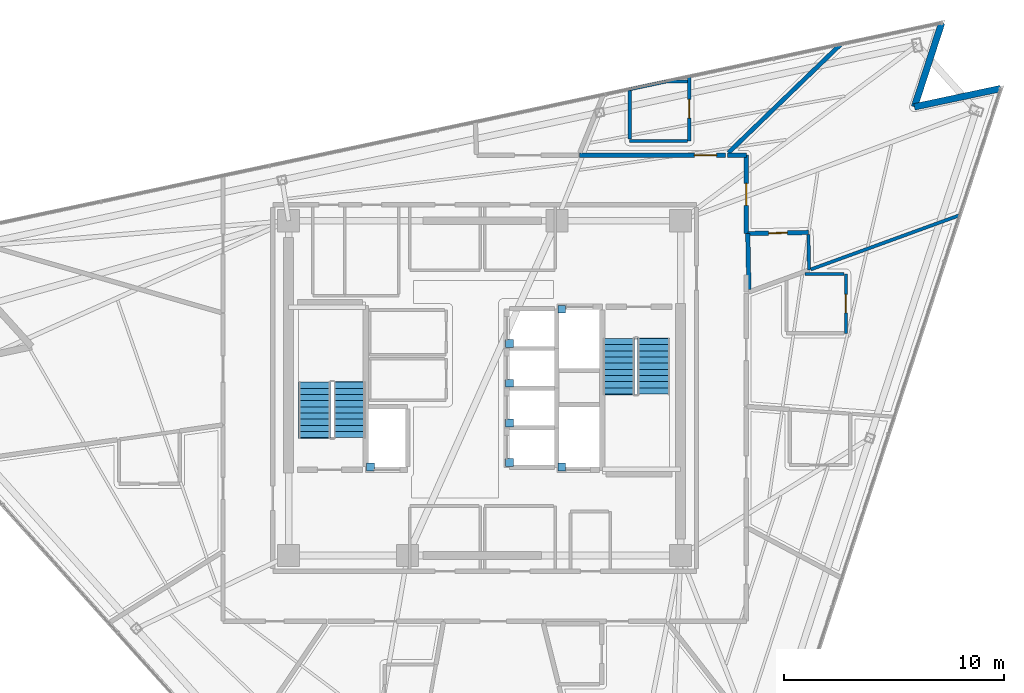
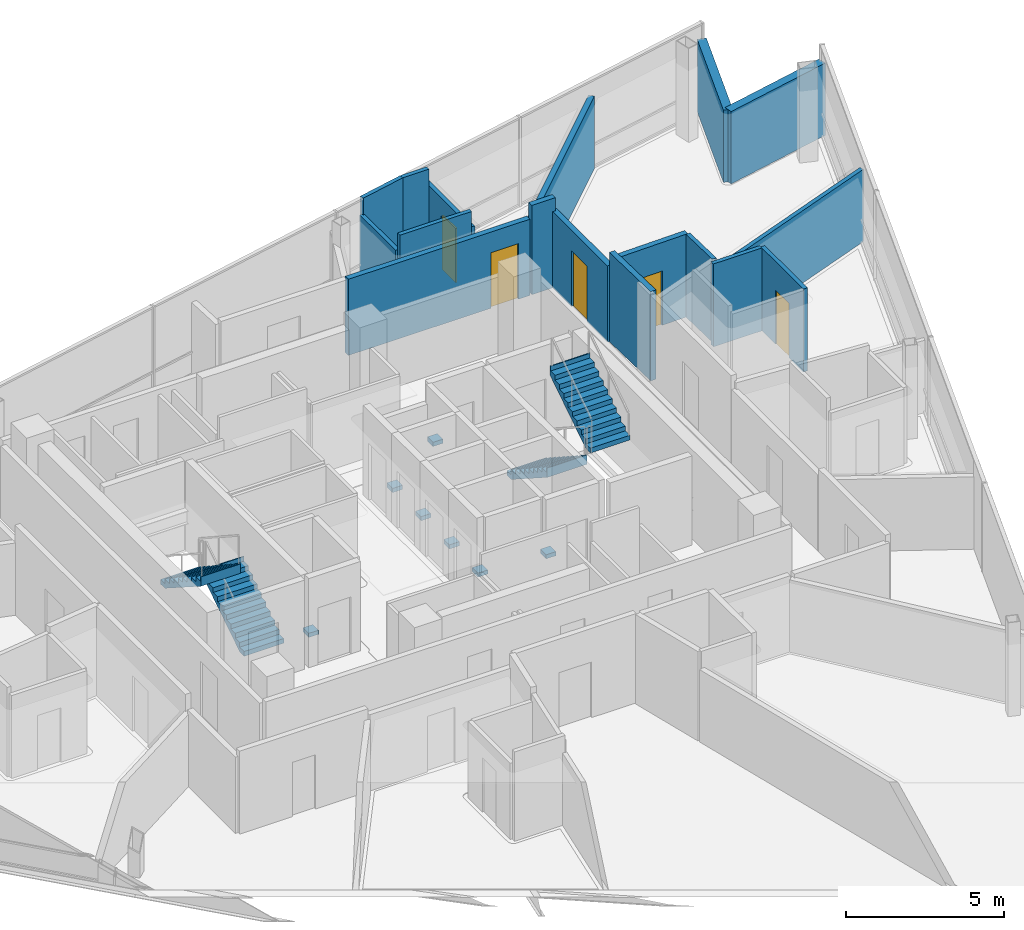
# One storey, part 13 of 17: 17 walls, 7 discrete accessories, 5 doors, 4 stair flights, 5 openings, 2 elements without a shape of their own.
"""IFC4 building model written with IfcOpenShell, lengths in metres."""

import ifcopenshell
import ifcopenshell.guid

model = None  # the IFC model being written
_history = None  # IfcOwnerHistory: only IFC2X3 demands one
_inside = {}  # id of a spatial element -> (the spatial element, [elements in it])
_under = {}  # id of a project, library or spatial element -> (it, [spatial elements below it])
_declared = {}  # id of a project -> (the project, [libraries it declares])
_typed = {}  # id of a type object -> (the type object, [elements of that type])
_made_of = {}  # id of a material, layer set ... -> (it, [elements and type objects made of it])


def new_model(schema):
    """Start an empty IFC model of exactly this schema.

    Asked for "IFC4X3", IfcOpenShell would pick the latest addendum, in which some entities
    have other attributes; the version numbers below select the first issue.
    IFC2X3 requires an IfcOwnerHistory on every rooted entity: one is made here for all.
    """
    global model, _history
    if schema == "IFC4X3":
        model = ifcopenshell.file(schema_version=(4, 3, 0, 0))
    else:
        model = ifcopenshell.file(schema=schema)
    _inside.clear()
    _under.clear()
    _declared.clear()
    _typed.clear()
    _made_of.clear()
    _history = None
    if model.schema == "IFC2X3":
        org = make("IfcOrganization", Name="unknown")
        user = make(
            "IfcPersonAndOrganization",
            ThePerson=make("IfcPerson", FamilyName="unknown"),
            TheOrganization=org,
        )
        app = make(
            "IfcApplication",
            ApplicationDeveloper=org,
            Version="unknown",
            ApplicationFullName="unknown",
            ApplicationIdentifier="unknown",
        )
        _history = make(
            "IfcOwnerHistory",
            OwningUser=user,
            OwningApplication=app,
            ChangeAction="ADDED",
            CreationDate=0,
        )
    return model


def make(cls, **values):
    """One entity of the class cls with the attributes given. An attribute that is None is left unset."""
    return model.create_entity(
        cls, **{name: value for name, value in values.items() if value is not None}
    )


def rooted(cls, **values):
    """An entity with a GlobalId (a new one), such as an element, a storey or a relation."""
    return make(cls, GlobalId=ifcopenshell.guid.new(), OwnerHistory=_history, **values)


def si_unit(unit_type, name, prefix=None):
    """IfcSIUnit, for example si_unit("LENGTHUNIT", "METRE", prefix="MILLI")."""
    return make("IfcSIUnit", UnitType=unit_type, Prefix=prefix, Name=name)


def assignment(units):
    """IfcUnitAssignment: the units of a project."""
    return None if units is None else make("IfcUnitAssignment", Units=units)


def point(xyz):
    """IfcCartesianPoint."""
    return None if xyz is None else make("IfcCartesianPoint", Coordinates=xyz)


def direction(xyz):
    """IfcDirection."""
    return None if xyz is None else make("IfcDirection", DirectionRatios=xyz)


def frame(location, z_axis=None, x_axis=None):
    """IfcAxis2Placement3D, a coordinate frame: its origin and axes. An axis left out is left unset."""
    return make(
        "IfcAxis2Placement3D",
        Location=point(location),
        Axis=direction(z_axis),
        RefDirection=direction(x_axis),
    )


def frame_2d(location, x_axis=None):
    """IfcAxis2Placement2D, a coordinate frame in the plane: its origin and x axis."""
    return make(
        "IfcAxis2Placement2D", Location=point(location), RefDirection=direction(x_axis)
    )


def origin():
    """The frame at (0, 0, 0) with its axes left unset."""
    return frame((0.0, 0.0, 0.0))


def origin_2d():
    """The frame at (0, 0) in the plane with its x axis left unset."""
    return frame_2d((0.0, 0.0))


def place(relative_to, where):
    """IfcLocalPlacement: puts the frame where relative to a parent placement (None: the world)."""
    return make(
        "IfcLocalPlacement", PlacementRelTo=relative_to, RelativePlacement=where
    )


def context(
    kind, dimensions, precision=None, world=None, true_north=None, identifier=None
):
    """IfcGeometricRepresentationContext, for example the 3D "Model" context."""
    return make(
        "IfcGeometricRepresentationContext",
        ContextIdentifier=identifier,
        ContextType=kind,
        CoordinateSpaceDimension=dimensions,
        Precision=precision,
        WorldCoordinateSystem=world,
        TrueNorth=true_north,
    )


def subcontext(parent, identifier, kind, view, scale=None):
    """IfcGeometricRepresentationSubContext, for example "Body" below "Model"."""
    return make(
        "IfcGeometricRepresentationSubContext",
        ContextIdentifier=identifier,
        ContextType=kind,
        ParentContext=parent,
        TargetScale=scale,
        TargetView=view,
    )


def project(units=None, contexts=None):
    """IfcProject with its units and contexts."""
    return rooted(
        "IfcProject",
        Name="project",
        RepresentationContexts=contexts,
        UnitsInContext=assignment(units),
    )


def spatial(cls, under=None, at=None, **own):
    """A site, building, storey or space (cls), placed at a placement, below another one or the project."""
    s = rooted(cls, ObjectPlacement=at, **own)
    if under is not None:
        _under.setdefault(under.id(), (under, []))[1].append(s)
    return s


def polyline(points):
    """IfcPolyline through the points."""
    return make("IfcPolyline", Points=[point(p) for p in points])


def profile(cls, at=None, kind="AREA", **sizes):
    """A parametric profile (cls). Its sizes go by their IFC names, for example OverallWidth=200.0."""
    return make(cls, ProfileType=kind, Position=at, **sizes)


def rectangle(**sizes):
    """IfcRectangleProfileDef."""
    return profile("IfcRectangleProfileDef", **sizes)


def outline(outer, holes=None, kind="AREA"):
    """IfcArbitraryClosedProfileDef: a profile drawn as a closed curve; with holes, ...WithVoids."""
    if holes is None:
        return make("IfcArbitraryClosedProfileDef", ProfileType=kind, OuterCurve=outer)
    return make(
        "IfcArbitraryProfileDefWithVoids",
        ProfileType=kind,
        OuterCurve=outer,
        InnerCurves=holes,
    )


def extrude(swept, where, along, depth):
    """IfcExtrudedAreaSolid: the profile swept, set in the frame where, extruded along a direction by depth."""
    return make(
        "IfcExtrudedAreaSolid",
        SweptArea=swept,
        Position=where,
        ExtrudedDirection=direction(along),
        Depth=depth,
    )


def shape(context_of_items, identifier, shape_type, items):
    """IfcShapeRepresentation: the items that make up one representation, for example the "Body"."""
    return make(
        "IfcShapeRepresentation",
        ContextOfItems=context_of_items,
        RepresentationIdentifier=identifier,
        RepresentationType=shape_type,
        Items=items,
    )


def material(Name=None, Category=None):
    """IfcMaterial."""
    return make("IfcMaterial", Name=Name, Category=Category)


def layer(
    of_material, thickness, ventilated=None, Name=None, Category=None, Priority=None
):
    """IfcMaterialLayer: one layer of a wall or slab, of a material (None: an air gap)."""
    return make(
        "IfcMaterialLayer",
        Material=of_material,
        LayerThickness=thickness,
        IsVentilated=ventilated,
        Name=Name,
        Category=Category,
        Priority=Priority,
    )


def layer_set(layers, Name=None):
    """IfcMaterialLayerSet."""
    return make("IfcMaterialLayerSet", MaterialLayers=layers, LayerSetName=Name)


def made_of(thing, what):
    """Note that an element or type object is made of a material, layer set ...; save() writes the relation."""
    if what is not None:
        _made_of.setdefault(what.id(), (what, []))[1].append(thing)
    return thing


def type_object(cls, material=None, **own):
    """A type object (cls), such as IfcWallType, which elements share."""
    return made_of(rooted(cls, **own), material)


def element(
    cls,
    number,
    at=None,
    inside=None,
    cuts=None,
    type_object=None,
    material=None,
    context=None,
    identifier="Body",
    shape_type=None,
    held_by="IfcProductDefinitionShape",
    body=None,
    shapes=None,
    **own,
):
    """One element of the class cls, such as IfcWall. Its Tag is "e" and its number.

    at: its placement. inside: the storey or other place that contains it. cuts: it is an
    opening in that element (IfcRelVoidsElement). A single representation is given by context,
    identifier, shape_type and body (its items); several are given by shapes. held_by: the class
    of the entity that holds the representations. save() writes the other relations.
    """
    e = rooted(cls, Tag="e%d" % number, ObjectPlacement=at, **own)
    if body is not None:
        shapes = [shape(context, identifier, shape_type, body)]
    if shapes is not None:
        e.Representation = make(held_by, Representations=shapes)
    if inside is not None:
        _inside.setdefault(inside.id(), (inside, []))[1].append(e)
    if cuts is not None:
        rooted(
            "IfcRelVoidsElement", RelatingBuildingElement=cuts, RelatedOpeningElement=e
        )
    if type_object is not None:
        _typed.setdefault(type_object.id(), (type_object, []))[1].append(e)
    return made_of(e, material)


def fill(opening, filler):
    """IfcRelFillsElement: the door or window that sits in an opening."""
    return rooted(
        "IfcRelFillsElement",
        RelatingOpeningElement=opening,
        RelatedBuildingElement=filler,
    )


def aggregate(whole, parts):
    """IfcRelAggregates: a whole, such as a stair, and the parts it consists of."""
    return rooted("IfcRelAggregates", RelatingObject=whole, RelatedObjects=parts)


def save(model, path):
    """Write the relations noted so far, then the file.

    IfcRelAggregates (storeys below a building ...), IfcRelContainedInSpatialStructure (elements
    in a storey), IfcRelDefinesByType, IfcRelAssociatesMaterial and IfcRelDeclares: one each for
    every whole, place, type object, material and project.
    """
    for whole, parts in _under.values():
        aggregate(whole, parts)
    for where, things in _inside.values():
        rooted(
            "IfcRelContainedInSpatialStructure",
            RelatedElements=things,
            RelatingStructure=where,
        )
    for kind, things in _typed.values():
        rooted("IfcRelDefinesByType", RelatedObjects=things, RelatingType=kind)
    for what, things in _made_of.values():
        rooted("IfcRelAssociatesMaterial", RelatedObjects=things, RelatingMaterial=what)
    for by, libraries in _declared.values():
        rooted("IfcRelDeclares", RelatingContext=by, RelatedDefinitions=libraries)
    model.write(path)


model = new_model("IFC4")

# Units and contexts
model_context = context("Model", 3, precision=1e-05, world=origin(), true_north=direction((0.0, 1.0)))
body_context = subcontext(model_context, "Body", "Model", "MODEL_VIEW")
ifc_project = project(units=[si_unit("LENGTHUNIT", "METRE"), si_unit("AREAUNIT", "SQUARE_METRE"), si_unit("VOLUMEUNIT", "CUBIC_METRE"), si_unit("PLANEANGLEUNIT", "RADIAN"), si_unit("MASSUNIT", "GRAM", prefix="KILO")], contexts=[model_context])

# Site, building, storey
site_placement = place(None, origin())
site = spatial("IfcSite", under=ifc_project, at=site_placement, CompositionType="ELEMENT")
building_placement = place(site_placement, origin())
building = spatial("IfcBuilding", under=site, at=building_placement, Name="Tharavind Bronze Gate", CompositionType="ELEMENT")
storey_placement = place(building_placement, frame((0.0, 0.0, 294.35009765625)))
storey = spatial("IfcBuildingStorey", under=building, at=storey_placement, Name="L76", CompositionType="ELEMENT", Elevation=294.35009765625)

# Walls
ifc_material_1 = material(Name="Concrete C40/50", Category="concrete")
ifc_layer_1 = layer(ifc_material_1, 0.300048828125)
ifc_layer_set_1 = layer_set([ifc_layer_1], Name="Concrete C40/50")
wall_type_1 = type_object("IfcWallType", Name="EXTERIOR SPANDREL WALL 300", PredefinedType="STANDARD", material=ifc_layer_set_1)
wall_1_placement = place(storey_placement, frame((23.433837890625, 13.603271484375, 0.0), z_axis=(0.0, 0.0, 1.0), x_axis=(-0.97815049033, -0.207898095871, 0.0)))
element("IfcWall", 1, at=wall_1_placement, inside=storey, type_object=wall_type_1, Name="L76 notch cheek wall 3A", PredefinedType="STANDARD", context=body_context, shape_type="SweptSolid", body=[
    extrude(rectangle(XDim=4.008056640625, YDim=0.300048828125, at=frame_2d((2.00390625, 0.0))), origin(), (0.0, 0.0, 1.0), 2.794921875),
])
wall_2_placement = place(storey_placement, frame((19.513427734375, 12.77001953125, 0.0), z_axis=(0.0, 0.0, 1.0), x_axis=(0.309018580232, 0.951056001018, 0.0)))
element("IfcWall", 2, at=wall_2_placement, inside=storey, type_object=wall_type_1, Name="L76 notch cheek wall 3B", PredefinedType="STANDARD", context=body_context, shape_type="SweptSolid", body=[
    extrude(rectangle(XDim=4.0078125, YDim=0.300048828125, at=frame_2d((2.00390625, 0.0))), origin(), (0.0, 0.0, 1.0), 2.794921875),
])

# Wall, opening, door
ifc_material_2 = material(Name="Aerated Concrete Block", Category="concrete")
ifc_layer_2 = layer(ifc_material_2, 0.199951171875)
ifc_layer_set_2 = layer_set([ifc_layer_2], Name="Aerated Concrete Block")
wall_type_2 = type_object("IfcWallType", Name="FIRE RATED PARTITION 200", PredefinedType="PARTITIONING", material=ifc_layer_set_2)
wall_3_placement = place(storey_placement, frame((11.94873046875, 7.01708984375, 0.0), z_axis=(0.0, 0.0, 1.0), x_axis=(0.999812703389, 0.019353504647, 0.0)))
wall_3 = element("IfcWall", 3, at=wall_3_placement, inside=storey, type_object=wall_type_2, Name="L76 En-Suite Bathroom partition", PredefinedType="PARTITIONING", context=body_context, shape_type="SweptSolid", body=[
    extrude(rectangle(XDim=2.75, YDim=0.199951171875, at=frame_2d((1.375, 0.0))), origin(), (0.0, 0.0, 1.0), 3.204833984375),
])
opening_1_placement = place(wall_3_placement, frame((0.949951171875, 0.0, 0.0)))
opening_1 = element("IfcOpeningElement", 4, at=opening_1_placement, cuts=wall_3, Name="Opening ID06", PredefinedType="OPENING", context=body_context, shape_type="SweptSolid", body=[
    extrude(rectangle(XDim=0.85009765625, YDim=2.10009765625, at=frame_2d((0.425048828125, 1.050048828125))), frame((0.0, 0.11009765625, 0.0), z_axis=(0.0, -1.0, 0.0), x_axis=(1.0, 0.0, 0.0)), (0.0, 0.0, 1.0), 0.219951171875),
])
ifc_material_3 = material(Name="Moisture-Resistant Timber", Category="wood")
door_type_1 = type_object("IfcDoorType", Name="BATHROOM PRIVACY DOOR 850X2100", OperationType="SINGLE_SWING_RIGHT", PredefinedType="DOOR", material=ifc_material_3)
door_1_placement = place(opening_1_placement, origin())
door_1 = element("IfcDoor", 5, at=door_1_placement, inside=storey, type_object=door_type_1, Name="L76 En-Suite Bathroom door", OperationType="SINGLE_SWING_RIGHT", OverallHeight=2.10009765625, OverallWidth=0.85009765625, PredefinedType="DOOR", context=body_context, shape_type="SweptSolid", body=[
    extrude(rectangle(XDim=0.85009765625, YDim=2.10009765625, at=frame_2d((0.425048828125, 1.050048828125))), frame((0.0, 0.02490234375, 0.0), z_axis=(0.0, -1.0, 0.0), x_axis=(1.0, 0.0, 0.0)), (0.0, 0.0, 1.0), 0.050048828125),
])
fill(opening_1, door_1)

# Walls
wall_4_placement = place(storey_placement, frame((11.997802734375, 4.478515625, 0.0), z_axis=(0.0, 0.0, 1.0), x_axis=(-0.019327029844, 0.999813215514, 0.0)))
element("IfcWall", 6, at=wall_4_placement, inside=storey, type_object=wall_type_2, Name="L76 En-Suite Bathroom partition", PredefinedType="PARTITIONING", context=body_context, shape_type="SweptSolid", body=[
    extrude(rectangle(XDim=2.5390625, YDim=0.199951171875, at=frame_2d((1.26953125, 0.0))), origin(), (0.0, 0.0, 1.0), 3.449951171875),
])
wall_5_placement = place(storey_placement, frame((11.87939453125, 10.580078125, 0.0), z_axis=(0.0, 0.0, 1.0), x_axis=(-1.0, 0.0, 0.0)))
element("IfcWall", 7, at=wall_5_placement, inside=storey, type_object=wall_type_2, Name="L76 Royal Hotel Suite partition", PredefinedType="PARTITIONING", context=body_context, shape_type="SweptSolid", body=[
    extrude(rectangle(XDim=0.861572265625, YDim=0.199951171875, at=frame_2d((0.4306640625, 0.0))), origin(), (0.0, 0.0, 1.0), 3.449951171875),
])
wall_6_placement = place(storey_placement, frame((11.064697265625, 10.68505859375, 0.0), z_axis=(0.0, 0.0, 1.0), x_axis=(0.719349741171, 0.694648076278, 0.0)))
element("IfcWall", 8, at=wall_6_placement, inside=storey, type_object=wall_type_2, Name="L76 Royal Hotel Suite partition", PredefinedType="PARTITIONING", context=body_context, shape_type="SweptSolid", body=[
    extrude(rectangle(XDim=7.07666015625, YDim=0.199951171875, at=frame_2d((3.538330078125, 0.0))), origin(), (0.0, 0.0, 1.0), 2.794921875),
])

# Wall, opening, door
wall_7_placement = place(storey_placement, frame((11.8798828125, 7.015869140625, 0.0), z_axis=(0.0, 0.0, 1.0), x_axis=(0.0, 1.0, 0.0)))
wall_7 = element("IfcWall", 9, at=wall_7_placement, inside=storey, type_object=wall_type_2, Name="L76 Royal Hotel Suite partition", PredefinedType="PARTITIONING", context=body_context, shape_type="SweptSolid", body=[
    extrude(rectangle(XDim=3.5634765625, YDim=0.199951171875, at=frame_2d((1.78173828125, 0.0))), origin(), (0.0, 0.0, 1.0), 2.94482421875),
])
opening_2_placement = place(wall_7_placement, frame((1.281982421875, 0.0, 0.0)))
opening_2 = element("IfcOpeningElement", 10, at=opening_2_placement, cuts=wall_7, Name="Opening ID03", PredefinedType="OPENING", context=body_context, shape_type="SweptSolid", body=[
    extrude(rectangle(XDim=1.0, YDim=2.14990234375, at=frame_2d((0.5, 1.074951171875))), frame((0.0, 0.11009765625, 0.0), z_axis=(0.0, -1.0, 0.0), x_axis=(1.0, 0.0, 0.0)), (0.0, 0.0, 1.0), 0.219951171875),
])
ifc_material_4 = material(Name="Solid Timber Veneer", Category="wood")
door_type_2 = type_object("IfcDoorType", Name="HOTEL SUITE ENTRANCE DOOR 1000X2150", OperationType="SINGLE_SWING_LEFT", PredefinedType="DOOR", material=ifc_material_4)
door_2_placement = place(opening_2_placement, origin())
door_2 = element("IfcDoor", 11, at=door_2_placement, inside=storey, type_object=door_type_2, Name="L76 Royal Hotel Suite door", OperationType="SINGLE_SWING_LEFT", OverallHeight=2.14990234375, OverallWidth=1.0, PredefinedType="DOOR", context=body_context, shape_type="SweptSolid", body=[
    extrude(rectangle(XDim=1.0, YDim=2.14990234375, at=frame_2d((0.5, 1.074951171875))), frame((0.0, 0.02490234375, 0.0), z_axis=(0.0, -1.0, 0.0), x_axis=(1.0, 0.0, 0.0)), (0.0, 0.0, 1.0), 0.050048828125),
])
fill(opening_2, door_2)

wall_8_placement = place(storey_placement, frame((10.94580078125, 10.580078125, 0.0), z_axis=(0.0, 0.0, 1.0), x_axis=(-1.0, 0.0, 0.0)))
wall_8 = element("IfcWall", 12, at=wall_8_placement, inside=storey, type_object=wall_type_2, Name="L76 Hotel Deluxe Room partition", PredefinedType="PARTITIONING", context=body_context, shape_type="SweptSolid", body=[
    extrude(rectangle(XDim=6.634033203125, YDim=0.199951171875, at=frame_2d((3.31689453125, 0.0))), origin(), (0.0, 0.0, 1.0), 2.94482421875),
])
opening_3_placement = place(wall_8_placement, frame((0.4169921875, 0.0, 0.0)))
opening_3 = element("IfcOpeningElement", 13, at=opening_3_placement, cuts=wall_8, Name="Opening ID03", PredefinedType="OPENING", context=body_context, shape_type="SweptSolid", body=[
    extrude(rectangle(XDim=1.0, YDim=2.14990234375, at=frame_2d((0.5, 1.074951171875))), frame((0.0, 0.11009765625, 0.0), z_axis=(0.0, -1.0, 0.0), x_axis=(1.0, 0.0, 0.0)), (0.0, 0.0, 1.0), 0.219951171875),
])
door_3_placement = place(opening_3_placement, origin())
door_3 = element("IfcDoor", 14, at=door_3_placement, inside=storey, type_object=door_type_2, Name="L76 Hotel Deluxe Room door", OperationType="SINGLE_SWING_LEFT", OverallHeight=2.14990234375, OverallWidth=1.0, PredefinedType="DOOR", context=body_context, shape_type="SweptSolid", body=[
    extrude(rectangle(XDim=1.0, YDim=2.14990234375, at=frame_2d((0.5, 1.074951171875))), frame((0.0, 0.02490234375, 0.0), z_axis=(0.0, -1.0, 0.0), x_axis=(1.0, 0.0, 0.0)), (0.0, 0.0, 1.0), 0.050048828125),
])
fill(opening_3, door_3)

# Wall
ifc_material_5 = material(Name="Twin Stud Acoustic Gypsum", Category="gypsum")
ifc_layer_3 = layer(ifc_material_5, 0.14990234375)
ifc_layer_set_3 = layer_set([ifc_layer_3], Name="Twin Stud Acoustic Gypsum")
wall_type_3 = type_object("IfcWallType", Name="INTERIOR PARTITION WALL 150", PredefinedType="PARTITIONING", material=ifc_layer_set_3)
wall_9_placement = place(storey_placement, frame((14.7001953125, 6.96533203125, 0.0), z_axis=(0.0, 0.0, 1.0), x_axis=(0.01933256163, -0.999813108566, 0.0)))
element("IfcWall", 15, at=wall_9_placement, inside=storey, type_object=wall_type_3, Name="L76 En-Suite Bathroom partition", PredefinedType="PARTITIONING", context=body_context, shape_type="SweptSolid", body=[
    extrude(rectangle(XDim=1.603759765625, YDim=0.14990234375, at=frame_2d((0.8017578125, 0.0))), origin(), (0.0, 0.0, 1.0), 3.204833984375),
])

# Wall, opening, door
wall_10_placement = place(storey_placement, frame((9.28515625, 14.14453125, 0.0), z_axis=(0.0, 0.0, 1.0), x_axis=(0.0, -1.0, 0.0)))
wall_10 = element("IfcWall", 16, at=wall_10_placement, inside=storey, type_object=wall_type_3, Name="L76 En-Suite Bathroom partition", PredefinedType="PARTITIONING", context=body_context, shape_type="SweptSolid", body=[
    extrude(rectangle(XDim=2.921630859375, YDim=0.14990234375, at=frame_2d((1.4609375, 0.0))), origin(), (0.0, 0.0, 1.0), 2.794921875),
])
opening_4_placement = place(wall_10_placement, frame((1.035888671875, 0.0, 0.0)))
opening_4 = element("IfcOpeningElement", 17, at=opening_4_placement, cuts=wall_10, Name="Opening ID06", PredefinedType="OPENING", context=body_context, shape_type="SweptSolid", body=[
    extrude(rectangle(XDim=0.85009765625, YDim=2.10009765625, at=frame_2d((0.425048828125, 1.050048828125))), frame((0.0, 0.084951171875, 0.0), z_axis=(0.0, -1.0, 0.0), x_axis=(1.0, 0.0, 0.0)), (0.0, 0.0, 1.0), 0.16990234375),
])
door_4_placement = place(opening_4_placement, origin())
door_4 = element("IfcDoor", 18, at=door_4_placement, inside=storey, type_object=door_type_1, Name="L76 En-Suite Bathroom door", OperationType="SINGLE_SWING_RIGHT", OverallHeight=2.10009765625, OverallWidth=0.85009765625, PredefinedType="DOOR", context=body_context, shape_type="SweptSolid", body=[
    extrude(rectangle(XDim=0.85009765625, YDim=2.10009765625, at=frame_2d((0.425048828125, 1.050048828125))), frame((0.0, 0.02490234375, 0.0), z_axis=(0.0, -1.0, 0.0), x_axis=(1.0, 0.0, 0.0)), (0.0, 0.0, 1.0), 0.050048828125),
])
fill(opening_4, door_4)

# Walls
wall_11_placement = place(storey_placement, frame((9.205078125, 11.222900390625, 0.0), z_axis=(0.0, 0.0, 1.0), x_axis=(-1.0, 0.0, 0.0)))
element("IfcWall", 19, at=wall_11_placement, inside=storey, type_object=wall_type_3, Name="L76 En-Suite Bathroom partition", PredefinedType="PARTITIONING", context=body_context, shape_type="SweptSolid", body=[
    extrude(rectangle(XDim=2.619873046875, YDim=0.14990234375, at=frame_2d((1.31005859375, 0.0))), origin(), (0.0, 0.0, 1.0), 3.449951171875),
])
wall_12_placement = place(storey_placement, frame((6.585205078125, 11.302978515625, 0.0), z_axis=(0.0, 0.0, 1.0), x_axis=(0.0, 1.0, 0.0)))
element("IfcWall", 20, at=wall_12_placement, inside=storey, type_object=wall_type_3, Name="L76 En-Suite Bathroom partition", PredefinedType="PARTITIONING", context=body_context, shape_type="SweptSolid", body=[
    extrude(rectangle(XDim=2.267578125, YDim=0.14990234375, at=frame_2d((1.1337890625, 0.0))), origin(), (0.0, 0.0, 1.0), 2.794921875),
])
wall_13_placement = place(storey_placement, frame((6.585205078125, 13.570556640625, 0.0), z_axis=(0.0, 0.0, 1.0), x_axis=(0.978119654151, 0.208043125732, 0.0)))
element("IfcWall", 21, at=wall_13_placement, inside=storey, type_object=wall_type_3, Name="L76 En-Suite Bathroom partition", PredefinedType="PARTITIONING", context=body_context, shape_type="SweptSolid", body=[
    extrude(rectangle(XDim=1.694580078125, YDim=0.14990234375, at=frame_2d((0.84716796875, 0.0))), origin(), (0.0, 0.0, 1.0), 3.449951171875),
])
wall_14_placement = place(storey_placement, frame((8.24267578125, 13.923095703125, 0.0), z_axis=(0.0, 0.0, 1.0), x_axis=(1.0, 0.0, 0.0)))
element("IfcWall", 22, at=wall_14_placement, inside=storey, type_object=wall_type_3, Name="L76 En-Suite Bathroom partition", PredefinedType="PARTITIONING", context=body_context, shape_type="SweptSolid", body=[
    extrude(rectangle(XDim=0.96240234375, YDim=0.14990234375, at=frame_2d((0.481201171875, 0.0))), origin(), (0.0, 0.0, 1.0), 3.449951171875),
])

# Wall, opening, door
wall_15_placement = place(storey_placement, frame((16.40478515625, 5.186767578125, 0.0), z_axis=(0.0, 0.0, 1.0), x_axis=(0.0, -1.0, 0.0)))
wall_15 = element("IfcWall", 23, at=wall_15_placement, inside=storey, type_object=wall_type_3, Name="L76 En-Suite Bathroom partition", PredefinedType="PARTITIONING", context=body_context, shape_type="SweptSolid", body=[
    extrude(rectangle(XDim=2.699951171875, YDim=0.14990234375, at=frame_2d((1.35009765625, 0.0))), origin(), (0.0, 0.0, 1.0), 3.204833984375),
])
opening_5_placement = place(wall_15_placement, frame((0.925048828125, 0.0, 0.0)))
opening_5 = element("IfcOpeningElement", 24, at=opening_5_placement, cuts=wall_15, Name="Opening ID06", PredefinedType="OPENING", context=body_context, shape_type="SweptSolid", body=[
    extrude(rectangle(XDim=0.85009765625, YDim=2.10009765625, at=frame_2d((0.425048828125, 1.050048828125))), frame((0.0, 0.084951171875, 0.0), z_axis=(0.0, -1.0, 0.0), x_axis=(1.0, 0.0, 0.0)), (0.0, 0.0, 1.0), 0.16990234375),
])
door_5_placement = place(opening_5_placement, origin())
door_5 = element("IfcDoor", 25, at=door_5_placement, inside=storey, type_object=door_type_1, Name="L76 En-Suite Bathroom door", OperationType="SINGLE_SWING_RIGHT", OverallHeight=2.10009765625, OverallWidth=0.85009765625, PredefinedType="DOOR", context=body_context, shape_type="SweptSolid", body=[
    extrude(rectangle(XDim=0.85009765625, YDim=2.10009765625, at=frame_2d((0.425048828125, 1.050048828125))), frame((0.0, 0.02490234375, 0.0), z_axis=(0.0, -1.0, 0.0), x_axis=(1.0, 0.0, 0.0)), (0.0, 0.0, 1.0), 0.050048828125),
])
fill(opening_5, door_5)

# Walls
wall_16_placement = place(storey_placement, frame((14.5576171875, 5.186767578125, 0.0), z_axis=(0.0, 0.0, 1.0), x_axis=(1.0, 0.0, 0.0)))
element("IfcWall", 26, at=wall_16_placement, inside=storey, type_object=wall_type_3, Name="L76 En-Suite Bathroom partition", PredefinedType="PARTITIONING", context=body_context, shape_type="SweptSolid", body=[
    extrude(rectangle(XDim=1.767333984375, YDim=0.14990234375, at=frame_2d((0.8837890625, 0.0))), origin(), (0.0, 0.0, 1.0), 3.204833984375),
])
wall_17_placement = place(storey_placement, frame((21.552734375, 7.844482421875, 0.0), z_axis=(0.0, 0.0, 1.0), x_axis=(-0.939693036583, -0.34201900093, 0.0)))
element("IfcWall", 27, at=wall_17_placement, inside=storey, type_object=wall_type_3, Name="L76 Royal Hotel Suite partition", PredefinedType="PARTITIONING", context=body_context, shape_type="SweptSolid", body=[
    extrude(rectangle(XDim=7.174560546875, YDim=0.14990234375, at=frame_2d((3.58740234375, 0.0))), origin(), (0.0, 0.0, 1.0), 2.794921875),
])

# Stair, stair flights
stair_type = type_object("IfcStairType", Name="CORE HALF TURN STAIR 1450", PredefinedType="HALF_TURN_STAIR", material=ifc_material_1)
stair_1_placement = place(storey_placement, origin())
stair_1 = element("IfcStair", 28, at=stair_1_placement, inside=storey, type_object=stair_type, Name="L76 Protected Exit Stair ST1", PredefinedType="HALF_TURN_STAIR")
stair_flight_type = type_object("IfcStairFlightType", Name="CORE STAIR FLIGHT 1450", PredefinedType="STRAIGHT", material=ifc_material_1)
stair_flight_1_placement = place(storey_placement, frame((-6.125, -2.25, 0.0), z_axis=(0.0, 0.0, 1.0), x_axis=(0.0, 1.0, 0.0)))
stair_flight_1 = element("IfcStairFlight", 29, at=stair_flight_1_placement, type_object=stair_flight_type, Name="ST1 flight 1", NumberOfRisers=10, NumberOfTreads=9, PredefinedType="STRAIGHT", RiserHeight=0.1825, TreadLength=0.28, context=body_context, shape_type="SweptSolid", body=[
    extrude(outline(polyline([(0.0, 0.0), (0.0, 0.1826171875), (0.280029296875, 0.1826171875), (0.280029296875, 0.364990234375), (0.56005859375, 0.364990234375), (0.56005859375, 0.547607421875), (0.840087890625, 0.547607421875), (0.840087890625, 0.72998046875), (1.1201171875, 0.72998046875), (1.1201171875, 0.91259765625), (1.39990234375, 0.91259765625), (1.39990234375, 1.094970703125), (1.679931640625, 1.094970703125), (1.679931640625, 1.277587890625), (1.9599609375, 1.277587890625), (1.9599609375, 1.4599609375), (2.239990234375, 1.4599609375), (2.239990234375, 1.642578125), (2.52001953125, 1.642578125), (2.52001953125, 1.824951171875), (2.555908203125, 1.824951171875), (2.555908203125, 1.463623046875), (0.2744140625, 0.0), (0.0, 0.0)])), frame((0.0, 0.72509765625, 0.0), z_axis=(0.0, -1.0, 0.0), x_axis=(1.0, 0.0, 0.0)), (0.0, 0.0, 1.0), 1.449951171875),
])
stair_flight_2_placement = place(storey_placement, frame((-7.72509765625, 0.27001953125, 1.824951171875), z_axis=(0.0, 0.0, 1.0), x_axis=(0.0, -1.0, 0.0)))
stair_flight_2 = element("IfcStairFlight", 30, at=stair_flight_2_placement, type_object=stair_flight_type, Name="ST1 flight 2", NumberOfRisers=10, NumberOfTreads=9, PredefinedType="STRAIGHT", RiserHeight=0.1825, TreadLength=0.28, context=body_context, shape_type="SweptSolid", body=[
    extrude(outline(polyline([(0.0, 0.0), (0.0, 0.1826171875), (0.280029296875, 0.1826171875), (0.280029296875, 0.364990234375), (0.56005859375, 0.364990234375), (0.56005859375, 0.547607421875), (0.840087890625, 0.547607421875), (0.840087890625, 0.72998046875), (1.1201171875, 0.72998046875), (1.1201171875, 0.91259765625), (1.39990234375, 0.91259765625), (1.39990234375, 1.094970703125), (1.679931640625, 1.094970703125), (1.679931640625, 1.277587890625), (1.9599609375, 1.277587890625), (1.9599609375, 1.4599609375), (2.239990234375, 1.4599609375), (2.239990234375, 1.642578125), (2.52001953125, 1.642578125), (2.52001953125, 1.824951171875), (2.555908203125, 1.824951171875), (2.555908203125, 1.463623046875), (0.2744140625, 0.0), (0.0, 0.0)])), frame((0.0, 0.72509765625, 0.0), z_axis=(0.0, -1.0, 0.0), x_axis=(1.0, 0.0, 0.0)), (0.0, 0.0, 1.0), 1.449951171875),
])
aggregate(stair_1, [stair_flight_1, stair_flight_2])

stair_2_placement = place(storey_placement, origin())
stair_2 = element("IfcStair", 31, at=stair_2_placement, inside=storey, type_object=stair_type, Name="L76 Protected Exit Stair ST2", PredefinedType="HALF_TURN_STAIR")
stair_flight_3_placement = place(storey_placement, frame((6.074951171875, 2.25, 0.0), z_axis=(0.0, 0.0, 1.0), x_axis=(0.0, -1.0, 0.0)))
stair_flight_3 = element("IfcStairFlight", 32, at=stair_flight_3_placement, type_object=stair_flight_type, Name="ST2 flight 1", NumberOfRisers=10, NumberOfTreads=9, PredefinedType="STRAIGHT", RiserHeight=0.1825, TreadLength=0.28, context=body_context, shape_type="SweptSolid", body=[
    extrude(outline(polyline([(0.0, 0.0), (0.0, 0.1826171875), (0.280029296875, 0.1826171875), (0.280029296875, 0.364990234375), (0.56005859375, 0.364990234375), (0.56005859375, 0.547607421875), (0.840087890625, 0.547607421875), (0.840087890625, 0.72998046875), (1.1201171875, 0.72998046875), (1.1201171875, 0.91259765625), (1.39990234375, 0.91259765625), (1.39990234375, 1.094970703125), (1.679931640625, 1.094970703125), (1.679931640625, 1.277587890625), (1.9599609375, 1.277587890625), (1.9599609375, 1.4599609375), (2.239990234375, 1.4599609375), (2.239990234375, 1.642578125), (2.52001953125, 1.642578125), (2.52001953125, 1.824951171875), (2.555908203125, 1.824951171875), (2.555908203125, 1.463623046875), (0.2744140625, 0.0), (0.0, 0.0)])), frame((0.0, 0.72509765625, 0.0), z_axis=(0.0, -1.0, 0.0), x_axis=(1.0, 0.0, 0.0)), (0.0, 0.0, 1.0), 1.449951171875),
])
stair_flight_4_placement = place(storey_placement, frame((7.675048828125, -0.27001953125, 1.824951171875), z_axis=(0.0, 0.0, 1.0), x_axis=(0.0, 1.0, 0.0)))
stair_flight_4 = element("IfcStairFlight", 33, at=stair_flight_4_placement, type_object=stair_flight_type, Name="ST2 flight 2", NumberOfRisers=10, NumberOfTreads=9, PredefinedType="STRAIGHT", RiserHeight=0.1825, TreadLength=0.28, context=body_context, shape_type="SweptSolid", body=[
    extrude(outline(polyline([(0.0, 0.0), (0.0, 0.1826171875), (0.280029296875, 0.1826171875), (0.280029296875, 0.364990234375), (0.56005859375, 0.364990234375), (0.56005859375, 0.547607421875), (0.840087890625, 0.547607421875), (0.840087890625, 0.72998046875), (1.1201171875, 0.72998046875), (1.1201171875, 0.91259765625), (1.39990234375, 0.91259765625), (1.39990234375, 1.094970703125), (1.679931640625, 1.094970703125), (1.679931640625, 1.277587890625), (1.9599609375, 1.277587890625), (1.9599609375, 1.4599609375), (2.239990234375, 1.4599609375), (2.239990234375, 1.642578125), (2.52001953125, 1.642578125), (2.52001953125, 1.824951171875), (2.555908203125, 1.824951171875), (2.555908203125, 1.463623046875), (0.2744140625, 0.0), (0.0, 0.0)])), frame((0.0, 0.72509765625, 0.0), z_axis=(0.0, -1.0, 0.0), x_axis=(1.0, 0.0, 0.0)), (0.0, 0.0, 1.0), 1.449951171875),
])
aggregate(stair_2, [stair_flight_3, stair_flight_4])

# Discrete accessories
ifc_material_6 = material(Name="Galvanised Steel S355", Category="steel")
discrete_accessory_type = type_object("IfcDiscreteAccessoryType", Name="LIFT GUIDE RAIL BRACKET", PredefinedType="BRACKET", material=ifc_material_6)
for number, where, z_axis, x_axis, name in (
    (34, (1.1201171875, -3.3798828125, 1.1201171875), (0.0, 0.0, 1.0), (1.0, 0.0, 0.0), "Lift PL9 guide rail bracket at L76"),
    (35, (1.1201171875, -1.580078125, 1.1201171875), (0.0, 0.0, 1.0), (1.0, 0.0, 0.0), "Lift PL10 guide rail bracket at L76"),
    (36, (1.1201171875, 0.219970703125, 1.1201171875), (0.0, 0.0, 1.0), (1.0, 0.0, 0.0), "Lift PL11 guide rail bracket at L76"),
    (37, (1.1201171875, 2.02001953125, 1.1201171875), (0.0, 0.0, 1.0), (1.0, 0.0, 0.0), "Lift PL12 guide rail bracket at L76"),
    (38, (-5.179931640625, -3.580078125, 1.1201171875), (0.0, 0.0, 1.0), (1.0, 0.0, 0.0), "Lift FFL1 guide rail bracket at L76"),
    (39, (3.5, 3.580078125, 1.1201171875), (0.0, 0.0, 1.0), (1.0, 0.0, 0.0), "Lift FFL2 guide rail bracket at L76"),
    (40, (3.5, -3.580078125, 1.1201171875), (0.0, 0.0, 1.0), (1.0, 0.0, 0.0), "Lift SVL1 guide rail bracket at L76"),
):
    element("IfcDiscreteAccessory", number, at=place(storey_placement, frame(where, z_axis=z_axis, x_axis=x_axis)), inside=storey, type_object=discrete_accessory_type, Name=name, PredefinedType="BRACKET", context=body_context, shape_type="SweptSolid", body=[
        extrude(rectangle(XDim=0.360107421875, YDim=0.360107421875, at=origin_2d()), origin(), (0.0, 0.0, 1.0), 0.159912109375),
    ])

save(model, "model.ifc")
